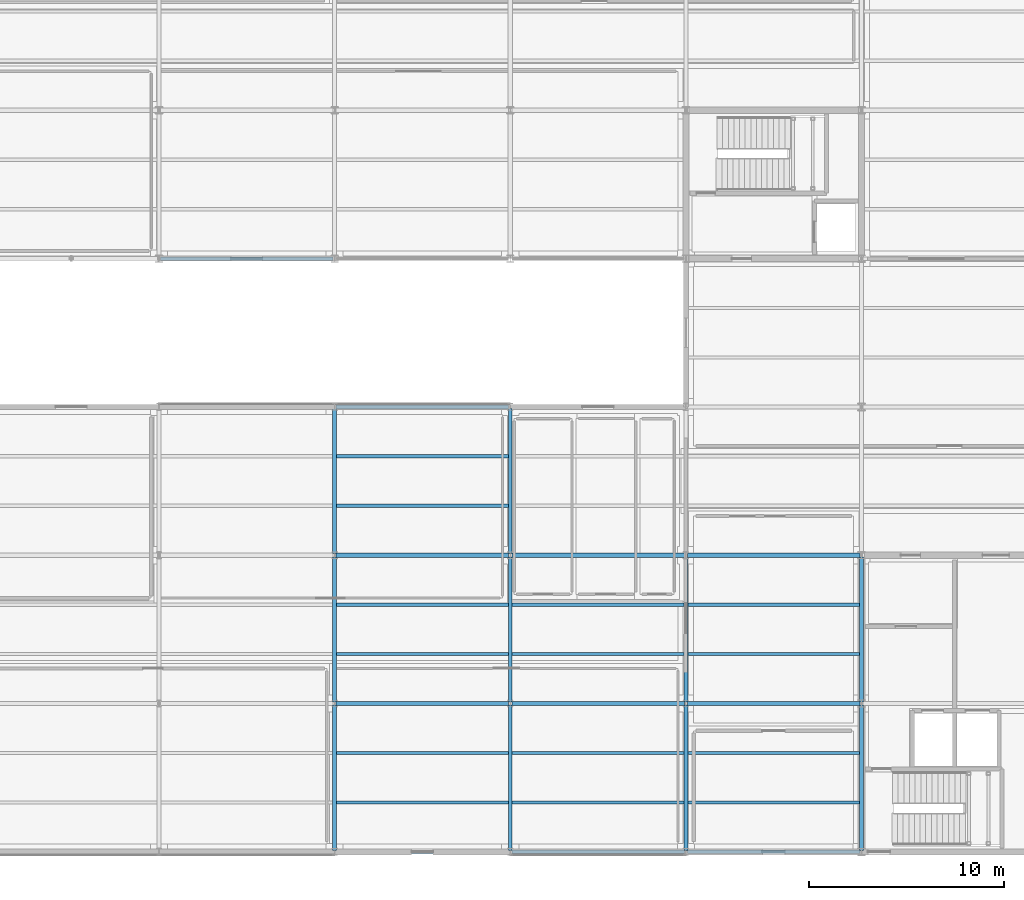
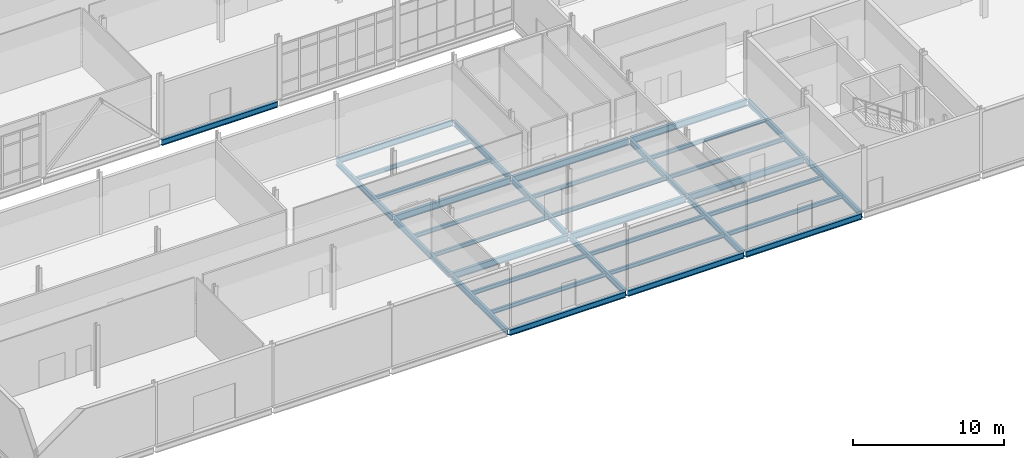
# One storey, part 35 of 161: 35 beams.
"""IFC4 building model written with IfcOpenShell, lengths in metres."""

from ifc_helpers import new_model, si_unit, direction, frame, origin, origin_2d, place, context, subcontext, project, spatial, i_section, extrude, material, material_profile, profile_set, type_object, element, save


model = new_model("IFC4")

# Units and contexts
model_context = context("Model", 3, precision=1e-05, world=origin(), true_north=direction((0.0, 1.0)))
body_context = subcontext(model_context, "Body", "Model", "MODEL_VIEW")
ifc_project = project(units=[si_unit("LENGTHUNIT", "METRE"), si_unit("AREAUNIT", "SQUARE_METRE"), si_unit("VOLUMEUNIT", "CUBIC_METRE"), si_unit("PLANEANGLEUNIT", "RADIAN"), si_unit("MASSUNIT", "GRAM", prefix="KILO")], contexts=[model_context])

# Site, building, storey
site_placement = place(None, origin())
site = spatial("IfcSite", under=ifc_project, at=site_placement, CompositionType="ELEMENT")
building_placement = place(site_placement, origin())
building = spatial("IfcBuilding", under=site, at=building_placement, Name="Caisbarro Railhouse Central Library", CompositionType="ELEMENT")
storey_placement = place(building_placement, origin())
storey = spatial("IfcBuildingStorey", under=building, at=storey_placement, Name="L00", CompositionType="ELEMENT", Elevation=0.0)

# Beams
ifc_material = material(Name="Steel ASTM A572 Grade 50", Category="steel")
ifc_material_profile_1 = material_profile(ifc_material, i_section(OverallWidth=0.2119140625, OverallDepth=0.5439453125, WebThickness=0.01318359375, FlangeThickness=0.021240234375, FilletRadius=0.02001953125, at=origin_2d()), Name="W530X123.0")
ifc_profile_set_1 = profile_set([ifc_material_profile_1], Name="Steel ASTM A572 Grade 50")
beam_type_1 = type_object("IfcBeamType", Name="BM-G05", PredefinedType="BEAM", material=ifc_profile_set_1)
for number, where, z_axis, x_axis, name in (
    (1, (36.080078125, 7.60009765625, -0.552001953125), (1.0, 0.0, 0.0), (0.0, 1.0, 0.0), "G05 beam L00 #79"),
    (2, (45.080078125, 7.60009765625, -0.552001953125), (1.0, 0.0, 0.0), (0.0, 1.0, 0.0), "G05 beam L00 #80"),
    (3, (36.080078125, 15.199951171875, -0.552001953125), (1.0, 0.0, 0.0), (0.0, 1.0, 0.0), "G05 beam L00 #85"),
    (4, (45.080078125, 15.199951171875, -0.552001953125), (1.0, 0.0, 0.0), (0.0, 1.0, 0.0), "G05 beam L00 #86"),
    (5, (54.080078125, 7.60009765625, -0.552001953125), (1.0, 0.0, 0.0), (0.0, 1.0, 0.0), "G05 beam L00 #156"),
    (6, (54.080078125, 15.199951171875, -0.552001953125), (1.0, 0.0, 0.0), (0.0, 1.0, 0.0), "G05 beam L00 #162"),
):
    element("IfcBeam", number, at=place(storey_placement, frame(where, z_axis=z_axis, x_axis=x_axis)), inside=storey, type_object=beam_type_1, Name=name, PredefinedType="BEAM", context=body_context, shape_type="SweptSolid", body=[
        extrude(i_section(OverallWidth=0.2119140625, OverallDepth=0.5439453125, WebThickness=0.01318359375, FlangeThickness=0.021240234375, FilletRadius=0.02001953125, at=origin_2d()), origin(), (0.0, 0.0, 1.0), 8.83984375),
    ])
ifc_material_profile_2 = material_profile(ifc_material, i_section(OverallWidth=0.194091796875, OverallDepth=0.468994140625, WebThickness=0.0126953125, FlangeThickness=0.0205078125, FilletRadius=0.01806640625, at=origin_2d()), Name="W460X106.0")
ifc_profile_set_2 = profile_set([ifc_material_profile_2], Name="Steel ASTM A572 Grade 50")
beam_type_2 = type_object("IfcBeamType", Name="BM-G07", PredefinedType="BEAM", material=ifc_profile_set_2)
beam_1_placement = place(storey_placement, frame((36.0, 0.080078125, -0.514404296875), z_axis=(0.0, 1.0, 0.0), x_axis=(-1.0, 0.0, 0.0)))
element("IfcBeam", 7, at=beam_1_placement, inside=storey, type_object=beam_type_2, Name="G07 beam L00 #105", PredefinedType="BEAM", context=body_context, shape_type="SweptSolid", body=[
    extrude(i_section(OverallWidth=0.194091796875, OverallDepth=0.468994140625, WebThickness=0.0126953125, FlangeThickness=0.0205078125, FilletRadius=0.01806640625, at=origin_2d()), origin(), (0.0, 0.0, 1.0), 7.43994140625),
])
beam_2_placement = place(storey_placement, frame((36.0, 7.679931640625, -0.514404296875), z_axis=(0.0, 1.0, 0.0), x_axis=(-1.0, 0.0, 0.0)))
element("IfcBeam", 8, at=beam_2_placement, inside=storey, type_object=beam_type_2, Name="G07 beam L00 #106", PredefinedType="BEAM", context=body_context, shape_type="SweptSolid", body=[
    extrude(i_section(OverallWidth=0.194091796875, OverallDepth=0.468994140625, WebThickness=0.0126953125, FlangeThickness=0.0205078125, FilletRadius=0.01806640625, at=origin_2d()), origin(), (0.0, 0.0, 1.0), 7.440185546875),
])
for number, where, z_axis, x_axis, name in (
    (9, (36.0, 15.280029296875, -0.514404296875), (0.0, 1.0, 0.0), (-1.0, 0.0, 0.0), "G07 beam L00 #107"),
    (10, (45.0, 0.080078125, -0.514404296875), (0.0, 1.0, 0.0), (-1.0, 0.0, 0.0), "G07 beam L00 #108"),
):
    element("IfcBeam", number, at=place(storey_placement, frame(where, z_axis=z_axis, x_axis=x_axis)), inside=storey, type_object=beam_type_2, Name=name, PredefinedType="BEAM", context=body_context, shape_type="SweptSolid", body=[
        extrude(i_section(OverallWidth=0.194091796875, OverallDepth=0.468994140625, WebThickness=0.0126953125, FlangeThickness=0.0205078125, FilletRadius=0.01806640625, at=origin_2d()), origin(), (0.0, 0.0, 1.0), 7.43994140625),
    ])
beam_3_placement = place(storey_placement, frame((45.0, 7.679931640625, -0.514404296875), z_axis=(0.0, 1.0, 0.0), x_axis=(-1.0, 0.0, 0.0)))
element("IfcBeam", 11, at=beam_3_placement, inside=storey, type_object=beam_type_2, Name="G07 beam L00 #109", PredefinedType="BEAM", context=body_context, shape_type="SweptSolid", body=[
    extrude(i_section(OverallWidth=0.194091796875, OverallDepth=0.468994140625, WebThickness=0.0126953125, FlangeThickness=0.0205078125, FilletRadius=0.01806640625, at=origin_2d()), origin(), (0.0, 0.0, 1.0), 7.440185546875),
])
for number, where, z_axis, x_axis, name in (
    (12, (45.0, 15.280029296875, -0.514404296875), (0.0, 1.0, 0.0), (-1.0, 0.0, 0.0), "G07 beam L00 #110"),
    (13, (54.0, 0.080078125, -0.514404296875), (0.0, 1.0, 0.0), (-1.0, 0.0, 0.0), "G07 beam L00 #111"),
):
    element("IfcBeam", number, at=place(storey_placement, frame(where, z_axis=z_axis, x_axis=x_axis)), inside=storey, type_object=beam_type_2, Name=name, PredefinedType="BEAM", context=body_context, shape_type="SweptSolid", body=[
        extrude(i_section(OverallWidth=0.194091796875, OverallDepth=0.468994140625, WebThickness=0.0126953125, FlangeThickness=0.0205078125, FilletRadius=0.01806640625, at=origin_2d()), origin(), (0.0, 0.0, 1.0), 7.43994140625),
    ])
beam_4_placement = place(storey_placement, frame((54.0, 7.679931640625, -0.514404296875), z_axis=(0.0, 1.0, 0.0), x_axis=(-1.0, 0.0, 0.0)))
element("IfcBeam", 14, at=beam_4_placement, inside=storey, type_object=beam_type_2, Name="G07 beam L00 #112", PredefinedType="BEAM", context=body_context, shape_type="SweptSolid", body=[
    extrude(i_section(OverallWidth=0.194091796875, OverallDepth=0.468994140625, WebThickness=0.0126953125, FlangeThickness=0.0205078125, FilletRadius=0.01806640625, at=origin_2d()), origin(), (0.0, 0.0, 1.0), 7.440185546875),
])
beam_5_placement = place(storey_placement, frame((63.0, 0.080078125, -0.514404296875), z_axis=(0.0, 1.0, 0.0), x_axis=(-1.0, 0.0, 0.0)))
element("IfcBeam", 15, at=beam_5_placement, inside=storey, type_object=beam_type_2, Name="G07 beam L00 #181", PredefinedType="BEAM", context=body_context, shape_type="SweptSolid", body=[
    extrude(i_section(OverallWidth=0.194091796875, OverallDepth=0.468994140625, WebThickness=0.0126953125, FlangeThickness=0.0205078125, FilletRadius=0.01806640625, at=origin_2d()), origin(), (0.0, 0.0, 1.0), 7.43994140625),
])
beam_6_placement = place(storey_placement, frame((63.0, 7.679931640625, -0.514404296875), z_axis=(0.0, 1.0, 0.0), x_axis=(-1.0, 0.0, 0.0)))
element("IfcBeam", 16, at=beam_6_placement, inside=storey, type_object=beam_type_2, Name="G07 beam L00 #182", PredefinedType="BEAM", context=body_context, shape_type="SweptSolid", body=[
    extrude(i_section(OverallWidth=0.194091796875, OverallDepth=0.468994140625, WebThickness=0.0126953125, FlangeThickness=0.0205078125, FilletRadius=0.01806640625, at=origin_2d()), origin(), (0.0, 0.0, 1.0), 7.440185546875),
])
ifc_material_profile_3 = material_profile(ifc_material, i_section(OverallWidth=0.1669921875, OverallDepth=0.31689453125, WebThickness=0.007568359375, FlangeThickness=0.01318359375, FilletRadius=0.011962890625, at=origin_2d()), Name="W310X52.0")
ifc_profile_set_3 = profile_set([ifc_material_profile_3], Name="Steel ASTM A572 Grade 50")
beam_type_3 = type_object("IfcBeamType", Name="BM-J02", PredefinedType="JOIST", material=ifc_profile_set_3)
for number, where, z_axis, x_axis, name in (
    (17, (36.096923828125, 2.533203125, -0.4384765625), (1.0, 0.0, 0.0), (0.0, 1.0, 0.0), "J02 beam L00 #138"),
    (18, (36.096923828125, 5.066650390625, -0.4384765625), (1.0, 0.0, 0.0), (0.0, 1.0, 0.0), "J02 beam L00 #139"),
    (19, (36.096923828125, 10.13330078125, -0.4384765625), (1.0, 0.0, 0.0), (0.0, 1.0, 0.0), "J02 beam L00 #140"),
    (20, (36.096923828125, 12.666748046875, -0.4384765625), (1.0, 0.0, 0.0), (0.0, 1.0, 0.0), "J02 beam L00 #141"),
    (21, (36.096923828125, 17.7333984375, -0.4384765625), (1.0, 0.0, 0.0), (0.0, 1.0, 0.0), "J02 beam L00 #142"),
    (22, (36.096923828125, 20.2666015625, -0.4384765625), (1.0, 0.0, 0.0), (0.0, 1.0, 0.0), "J02 beam L00 #143"),
    (23, (45.096923828125, 2.533203125, -0.4384765625), (1.0, 0.0, 0.0), (0.0, 1.0, 0.0), "J02 beam L00 #144"),
    (24, (45.096923828125, 5.066650390625, -0.4384765625), (1.0, 0.0, 0.0), (0.0, 1.0, 0.0), "J02 beam L00 #145"),
    (25, (45.096923828125, 10.13330078125, -0.4384765625), (1.0, 0.0, 0.0), (0.0, 1.0, 0.0), "J02 beam L00 #146"),
    (26, (45.096923828125, 12.666748046875, -0.4384765625), (1.0, 0.0, 0.0), (0.0, 1.0, 0.0), "J02 beam L00 #147"),
    (27, (54.096923828125, 2.533203125, -0.4384765625), (1.0, 0.0, 0.0), (0.0, 1.0, 0.0), "J02 beam L00 #205"),
    (28, (54.096923828125, 5.066650390625, -0.4384765625), (1.0, 0.0, 0.0), (0.0, 1.0, 0.0), "J02 beam L00 #206"),
    (29, (54.096923828125, 10.13330078125, -0.4384765625), (1.0, 0.0, 0.0), (0.0, 1.0, 0.0), "J02 beam L00 #207"),
    (30, (54.096923828125, 12.666748046875, -0.4384765625), (1.0, 0.0, 0.0), (0.0, 1.0, 0.0), "J02 beam L00 #208"),
):
    element("IfcBeam", number, at=place(storey_placement, frame(where, z_axis=z_axis, x_axis=x_axis)), inside=storey, type_object=beam_type_3, Name=name, PredefinedType="JOIST", context=body_context, shape_type="SweptSolid", body=[
        extrude(i_section(OverallWidth=0.1669921875, OverallDepth=0.31689453125, WebThickness=0.007568359375, FlangeThickness=0.01318359375, FilletRadius=0.011962890625, at=origin_2d()), origin(), (0.0, 0.0, 1.0), 8.80615234375),
    ])
ifc_material_profile_4 = material_profile(ifc_material, i_section(OverallWidth=0.18994140625, OverallDepth=0.45703125, WebThickness=0.009033203125, FlangeThickness=0.014404296875, FilletRadius=0.01806640625, at=origin_2d()), Name="W460X74.0")
ifc_profile_set_4 = profile_set([ifc_material_profile_4], Name="Steel ASTM A572 Grade 50")
beam_type_4 = type_object("IfcBeamType", Name="BM-SP01", PredefinedType="SPANDREL", material=ifc_profile_set_4)
for number, where, z_axis, x_axis, name in (
    (31, (36.080078125, 0.0, -0.508544921875), (1.0, 0.0, 0.0), (0.0, 1.0, 0.0), "SP01 beam L00 #73"),
    (32, (45.080078125, 0.0, -0.508544921875), (1.0, 0.0, 0.0), (0.0, 1.0, 0.0), "SP01 beam L00 #74"),
    (33, (36.080078125, 22.800048828125, -0.508544921875), (1.0, 0.0, 0.0), (0.0, 1.0, 0.0), "SP01 beam L00 #91"),
    (34, (54.080078125, 0.0, -0.508544921875), (1.0, 0.0, 0.0), (0.0, 1.0, 0.0), "SP01 beam L00 #150"),
    (35, (27.080078125, 30.39990234375, -0.478515625), (1.0, 0.0, 0.0), (0.0, 1.0, 0.0), "SP01 beam L00 #248"),
):
    element("IfcBeam", number, at=place(storey_placement, frame(where, z_axis=z_axis, x_axis=x_axis)), inside=storey, type_object=beam_type_4, Name=name, PredefinedType="SPANDREL", context=body_context, shape_type="SweptSolid", body=[
        extrude(i_section(OverallWidth=0.18994140625, OverallDepth=0.45703125, WebThickness=0.009033203125, FlangeThickness=0.014404296875, FilletRadius=0.01806640625, at=origin_2d()), origin(), (0.0, 0.0, 1.0), 8.83984375),
    ])

save(model, "model.ifc")
